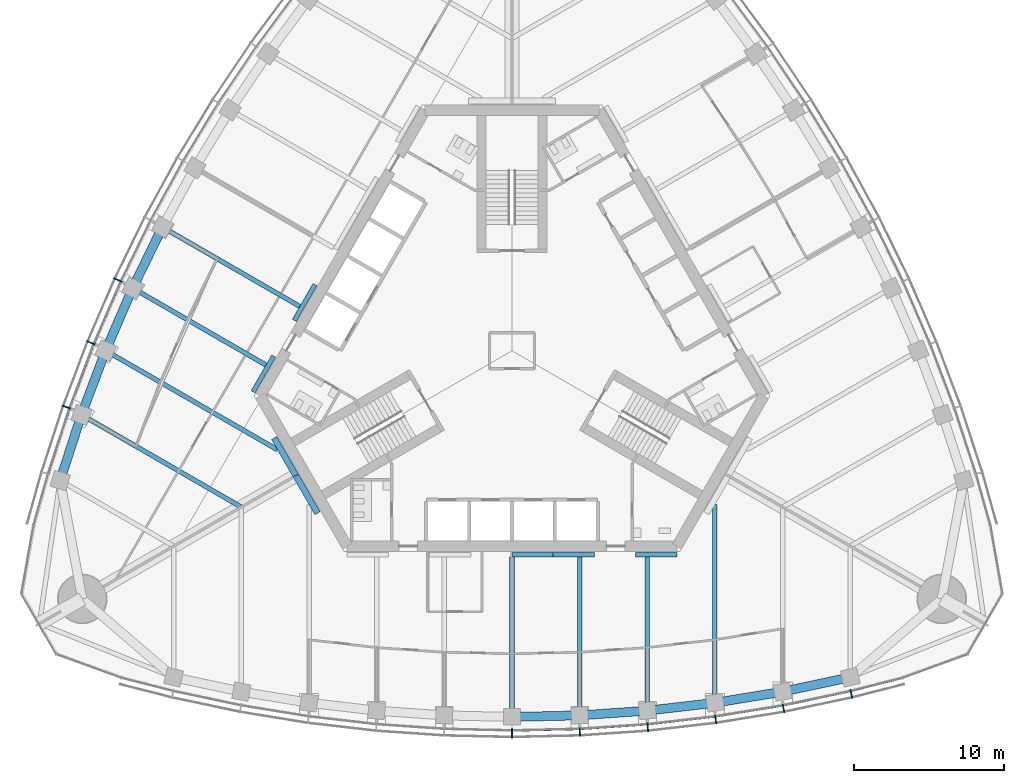
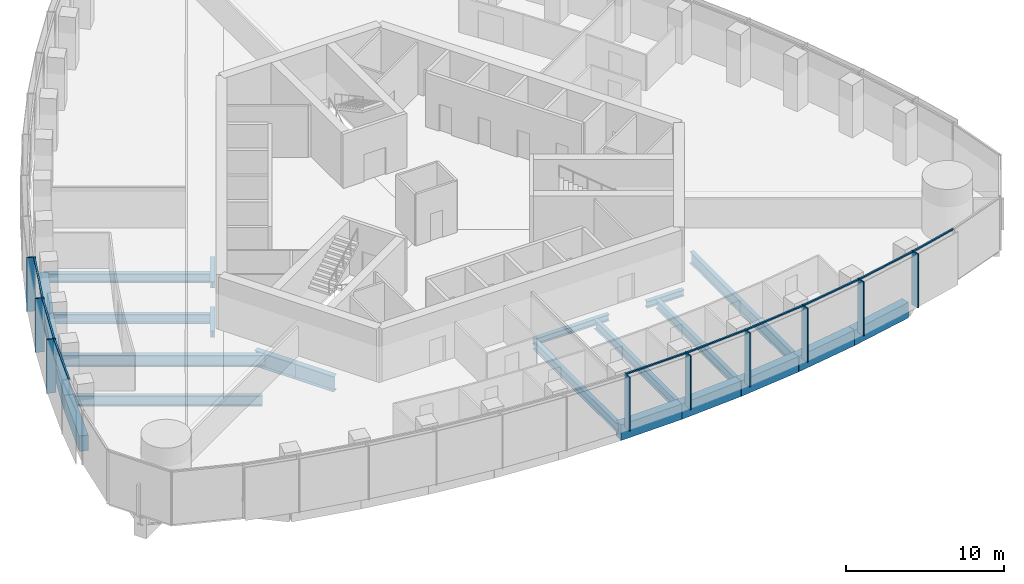
# One storey, part 3 of 19: 24 beams, 18 members, 2 elements without a shape of their own.
"""IFC4 building model written with IfcOpenShell, lengths in metres."""

from ifc_helpers import new_model, si_unit, direction, frame, origin, origin_2d, place, context, subcontext, project, spatial, rectangle, i_section, extrude, material, material_profile, profile_set, type_object, element, aggregate, save


model = new_model("IFC4")

# Units and contexts
model_context = context("Model", 3, precision=1e-05, world=origin(), true_north=direction((0.0, 1.0)))
body_context = subcontext(model_context, "Body", "Model", "MODEL_VIEW")
ifc_project = project(units=[si_unit("LENGTHUNIT", "METRE"), si_unit("AREAUNIT", "SQUARE_METRE"), si_unit("VOLUMEUNIT", "CUBIC_METRE"), si_unit("PLANEANGLEUNIT", "RADIAN"), si_unit("MASSUNIT", "GRAM", prefix="KILO")], contexts=[model_context])

# Site, building, storey
site_placement = place(None, origin())
site = spatial("IfcSite", under=ifc_project, at=site_placement, CompositionType="ELEMENT")
building_placement = place(site_placement, origin())
building = spatial("IfcBuilding", under=site, at=building_placement, Name="Trefoil Bronze Tower", CompositionType="ELEMENT")
storey_placement = place(building_placement, frame((0.0, 0.0, 223.300048828125)))
storey = spatial("IfcBuildingStorey", under=building, at=storey_placement, Name="L51", CompositionType="ELEMENT", Elevation=223.300048828125)

# Curtain wall, members
ifc_material_1 = material(Name="Tinted solar-control glass", Category="glass")
curtain_wall_type = type_object("IfcCurtainWallType", Name="Bronze office curtain wall", PredefinedType="USERDEFINED", material=ifc_material_1)
curtain_wall_1_placement = place(storey_placement, origin())
curtain_wall_1 = element("IfcCurtainWall", 1, at=curtain_wall_1_placement, inside=storey, type_object=curtain_wall_type, Name="CW-A L51 F1", ObjectType="CURTAIN WALL", PredefinedType="USERDEFINED")
ifc_material_2 = material(Name="Bronze-finish aluminium", Category="aluminium")
ifc_material_profile_1 = material_profile(ifc_material_2, rectangle(XDim=0.60009765625, YDim=0.080078125, at=origin_2d()), Name="CW-A mullion")
ifc_profile_set_1 = profile_set([ifc_material_profile_1], Name="Bronze-finish aluminium")
member_type_1 = type_object("IfcMemberType", Name="Bronze office curtain wall mullion", PredefinedType="MULLION", material=ifc_profile_set_1)
member_1_placement = place(storey_placement, frame((0.0, -25.45068359375, 0.0), z_axis=(0.0, 0.0, 1.0), x_axis=(0.0, 1.0, 0.0)))
member_1 = element("IfcMember", 2, at=member_1_placement, type_object=member_type_1, Name="CW-A L51 F1 mullion 7", PredefinedType="MULLION", context=body_context, shape_type="SweptSolid", body=[
    extrude(rectangle(XDim=0.60009765625, YDim=0.080078125, at=origin_2d()), origin(), (0.0, 0.0, 1.0), 4.179931640625),
])
member_2_placement = place(storey_placement, frame((4.513671875, -25.346923828125, 0.0), z_axis=(0.0, 0.0, 1.0), x_axis=(-0.045955542372, 0.998943485952, 0.0)))
member_2 = element("IfcMember", 3, at=member_2_placement, type_object=member_type_1, Name="CW-A L51 F1 mullion 8", PredefinedType="MULLION", context=body_context, shape_type="SweptSolid", body=[
    extrude(rectangle(XDim=0.60009765625, YDim=0.080078125, at=origin_2d()), origin(), (0.0, 0.0, 1.0), 4.179931640625),
])
member_3_placement = place(storey_placement, frame((9.027587890625, -25.03515625, 0.0), z_axis=(0.0, 0.0, 1.0), x_axis=(-0.091911396394, 0.995767189263, 0.0)))
member_3 = element("IfcMember", 4, at=member_3_placement, type_object=member_type_1, Name="CW-A L51 F1 mullion 9", PredefinedType="MULLION", context=body_context, shape_type="SweptSolid", body=[
    extrude(rectangle(XDim=0.60009765625, YDim=0.080078125, at=origin_2d()), origin(), (0.0, 0.0, 1.0), 4.179931640625),
])
member_4_placement = place(storey_placement, frame((13.541259765625, -24.51318359375, 0.0), z_axis=(0.0, 0.0, 1.0), x_axis=(-0.137867887204, 0.990450627582, 0.0)))
member_4 = element("IfcMember", 5, at=member_4_placement, type_object=member_type_1, Name="CW-A L51 F1 mullion 10", PredefinedType="MULLION", context=body_context, shape_type="SweptSolid", body=[
    extrude(rectangle(XDim=0.60009765625, YDim=0.080078125, at=origin_2d()), origin(), (0.0, 0.0, 1.0), 4.179931640625),
])
member_5_placement = place(storey_placement, frame((18.05517578125, -23.77783203125, 0.0), z_axis=(0.0, 0.0, 1.0), x_axis=(-0.183825368167, 0.982958917767, 0.0)))
member_5 = element("IfcMember", 6, at=member_5_placement, type_object=member_type_1, Name="CW-A L51 F1 mullion 11", PredefinedType="MULLION", context=body_context, shape_type="SweptSolid", body=[
    extrude(rectangle(XDim=0.60009765625, YDim=0.080078125, at=origin_2d()), origin(), (0.0, 0.0, 1.0), 4.179931640625),
])
member_6_placement = place(storey_placement, frame((22.568115234375, -22.82421875, 0.0), z_axis=(0.0, 0.0, 1.0), x_axis=(-0.227082662569, 0.973875487093, 0.0)))
member_6 = element("IfcMember", 7, at=member_6_placement, type_object=member_type_1, Name="CW-A L51 F1 mullion 12", PredefinedType="MULLION", context=body_context, shape_type="SweptSolid", body=[
    extrude(rectangle(XDim=0.60009765625, YDim=0.080078125, at=origin_2d()), origin(), (0.0, 0.0, 1.0), 4.179931640625),
])

curtain_wall_2_placement = place(storey_placement, origin())
curtain_wall_2 = element("IfcCurtainWall", 8, at=curtain_wall_2_placement, inside=storey, type_object=curtain_wall_type, Name="CW-A L51 F3", ObjectType="CURTAIN WALL", PredefinedType="USERDEFINED")
member_7_placement = place(storey_placement, frame((-26.19482421875, 4.699462890625, 0.0), z_axis=(0.0, 0.0, 1.0), x_axis=(0.908315380354, -0.418285990457, 0.0)))
member_7 = element("IfcMember", 9, at=member_7_placement, type_object=member_type_1, Name="CW-A L51 F3 mullion 9", PredefinedType="MULLION", context=body_context, shape_type="SweptSolid", body=[
    extrude(rectangle(XDim=0.60009765625, YDim=0.080078125, at=origin_2d()), origin(), (0.0, 0.0, 1.0), 4.179931640625),
])
member_8_placement = place(storey_placement, frame((-27.999755859375, 0.529541015625, 0.0), z_axis=(0.0, 0.0, 1.0), x_axis=(0.926689348282, -0.375828221106, 0.0)))
member_8 = element("IfcMember", 10, at=member_8_placement, type_object=member_type_1, Name="CW-A L51 F3 mullion 10", PredefinedType="MULLION", context=body_context, shape_type="SweptSolid", body=[
    extrude(rectangle(XDim=0.60009765625, YDim=0.080078125, at=origin_2d()), origin(), (0.0, 0.0, 1.0), 4.179931640625),
])
member_9_placement = place(storey_placement, frame((-29.619873046875, -3.747314453125, 0.0), z_axis=(0.0, 0.0, 1.0), x_axis=(0.943180077746, -0.332282020191, 0.0)))
member_9 = element("IfcMember", 11, at=member_9_placement, type_object=member_type_1, Name="CW-A L51 F3 mullion 11", PredefinedType="MULLION", context=body_context, shape_type="SweptSolid", body=[
    extrude(rectangle(XDim=0.60009765625, YDim=0.080078125, at=origin_2d()), origin(), (0.0, 0.0, 1.0), 4.179931640625),
])

# Member
ifc_material_3 = material(Name="Bronze-finish aluminium", Category="aluminium")
ifc_material_profile_2 = material_profile(ifc_material_3, rectangle(XDim=0.1201171875, YDim=0.10009765625, at=origin_2d()), Name="CW-A transom")
ifc_profile_set_2 = profile_set([ifc_material_profile_2], Name="Bronze-finish aluminium")
member_type_2 = type_object("IfcMemberType", Name="Bronze office curtain wall transom", PredefinedType="USERDEFINED", material=ifc_profile_set_2)
member_10_placement = place(storey_placement, frame((0.042236328125, -25.249755859375, 4.1298828125), z_axis=(0.999736131416, 0.022971015226, 0.0), x_axis=(-0.022971015226, 0.999736131416, 0.0)))
member_10 = element("IfcMember", 12, at=member_10_placement, type_object=member_type_2, Name="CW-A L51 F1 transom 7", ObjectType="TRANSOM", PredefinedType="USERDEFINED", context=body_context, shape_type="SweptSolid", body=[
    extrude(rectangle(XDim=0.1201171875, YDim=0.10009765625, at=origin_2d()), origin(), (0.0, 0.0, 1.0), 4.42138671875),
])

member_11_placement = place(storey_placement, frame((4.546875, -25.144287109375, 4.1298828125), z_axis=(0.997621320987, 0.06893257512, 0.0), x_axis=(-0.06893257512, 0.997621320987, 0.0)))
member_11 = element("IfcMember", 13, at=member_11_placement, type_object=member_type_2, Name="CW-A L51 F1 transom 8", ObjectType="TRANSOM", PredefinedType="USERDEFINED", context=body_context, shape_type="SweptSolid", body=[
    extrude(rectangle(XDim=0.1201171875, YDim=0.10009765625, at=origin_2d()), origin(), (0.0, 0.0, 1.0), 4.4306640625),
])

member_12_placement = place(storey_placement, frame((9.05126953125, -24.8310546875, 4.1298828125), z_axis=(0.993384885596, 0.114832352013, 0.0), x_axis=(-0.114832352013, 0.993384885596, 0.0)))
member_12 = element("IfcMember", 14, at=member_12_placement, type_object=member_type_2, Name="CW-A L51 F1 transom 9", ObjectType="TRANSOM", PredefinedType="USERDEFINED", context=body_context, shape_type="SweptSolid", body=[
    extrude(rectangle(XDim=0.1201171875, YDim=0.10009765625, at=origin_2d()), origin(), (0.0, 0.0, 1.0), 4.449951171875),
])

member_13_placement = place(storey_placement, frame((13.5556640625, -24.308349609375, 4.1298828125), z_axis=(0.986988367046, 0.160791676761, 0.0), x_axis=(-0.160791676761, 0.986988367046, 0.0)))
member_13 = element("IfcMember", 15, at=member_13_placement, type_object=member_type_2, Name="CW-A L51 F1 transom 10", ObjectType="TRANSOM", PredefinedType="USERDEFINED", context=body_context, shape_type="SweptSolid", body=[
    extrude(rectangle(XDim=0.1201171875, YDim=0.10009765625, at=origin_2d()), origin(), (0.0, 0.0, 1.0), 4.479248046875),
])

member_14_placement = place(storey_placement, frame((18.059814453125, -23.572509765625, 4.1298828125), z_axis=(0.978395325657, 0.20674280334, 0.0), x_axis=(-0.20674280334, 0.978395325657, 0.0)))
member_14 = element("IfcMember", 16, at=member_14_placement, type_object=member_type_2, Name="CW-A L51 F1 transom 11", ObjectType="TRANSOM", PredefinedType="USERDEFINED", context=body_context, shape_type="SweptSolid", body=[
    extrude(rectangle(XDim=0.1201171875, YDim=0.10009765625, at=origin_2d()), origin(), (0.0, 0.0, 1.0), 4.519287109375),
])

member_15_placement = place(storey_placement, frame((22.5634765625, -22.618896484375, 4.1298828125), z_axis=(0.968935220916, 0.247314653162, 0.0), x_axis=(-0.247314653162, 0.968935220916, 0.0)))
member_15 = element("IfcMember", 17, at=member_15_placement, type_object=member_type_2, Name="CW-A L51 F1 transom 12", ObjectType="TRANSOM", PredefinedType="USERDEFINED", context=body_context, shape_type="SweptSolid", body=[
    extrude(rectangle(XDim=0.1201171875, YDim=0.10009765625, at=origin_2d()), origin(), (0.0, 0.0, 1.0), 3.483642578125),
])

aggregate(curtain_wall_1, [member_1, member_2, member_3, member_4, member_5, member_6, member_10, member_11, member_12, member_13, member_14, member_15])

member_16_placement = place(storey_placement, frame((-26.030029296875, 4.576904296875, 4.1298828125), z_axis=(-0.397220936772, -0.917723012346, 0.0), x_axis=(0.917723012346, -0.397220936772, 0.0)))
member_16 = element("IfcMember", 18, at=member_16_placement, type_object=member_type_2, Name="CW-A L51 F3 transom 9", ObjectType="TRANSOM", PredefinedType="USERDEFINED", context=body_context, shape_type="SweptSolid", body=[
    extrude(rectangle(XDim=0.1201171875, YDim=0.10009765625, at=origin_2d()), origin(), (0.0, 0.0, 1.0), 4.449951171875),
])

member_17_placement = place(storey_placement, frame((-27.829345703125, 0.414794921875, 4.1298828125), z_axis=(-0.354263170896, -0.935145767112, 0.0), x_axis=(0.935145767112, -0.354263170896, 0.0)))
member_17 = element("IfcMember", 19, at=member_17_placement, type_object=member_type_2, Name="CW-A L51 F3 transom 10", ObjectType="TRANSOM", PredefinedType="USERDEFINED", context=body_context, shape_type="SweptSolid", body=[
    extrude(rectangle(XDim=0.1201171875, YDim=0.10009765625, at=origin_2d()), origin(), (0.0, 0.0, 1.0), 4.4794921875),
])

member_18_placement = place(storey_placement, frame((-29.4443359375, -3.85400390625, 4.1298828125), z_axis=(-0.310127806788, -0.950694874004, 0.0), x_axis=(0.950694874004, -0.310127806788, 0.0)))
member_18 = element("IfcMember", 20, at=member_18_placement, type_object=member_type_2, Name="CW-A L51 F3 transom 11", ObjectType="TRANSOM", PredefinedType="USERDEFINED", context=body_context, shape_type="SweptSolid", body=[
    extrude(rectangle(XDim=0.1201171875, YDim=0.10009765625, at=origin_2d()), origin(), (0.0, 0.0, 1.0), 4.51953125),
])

aggregate(curtain_wall_2, [member_7, member_8, member_9, member_16, member_17, member_18])

# Beams
ifc_material_4 = material(Name="Steel C355", Category="steel")
ifc_material_profile_3 = material_profile(ifc_material_4, i_section(OverallWidth=0.300048828125, OverallDepth=0.5, WebThickness=0.014404296875, FlangeThickness=0.028076171875, FilletRadius=0.027099609375, at=origin_2d()), Name="HEB 500")
ifc_profile_set_3 = profile_set([ifc_material_profile_3], Name="Steel C355")
beam_type_1 = type_object("IfcBeamType", Name="Core seat beam HEB 500", PredefinedType="BEAM", material=ifc_profile_set_3)
for number, where, z_axis, x_axis, name in (
    (21, (0.0, -13.550048828125, -0.449951171875), (1.0, 0.0, 0.0), (0.0, 1.0, 0.0), "Core seat beam F1/+0 L51"),
    (22, (2.742431640625, -13.550048828125, -0.449951171875), (1.0, 0.0, 0.0), (0.0, 1.0, 0.0), "Core seat beam F1/+1 L51"),
    (23, (8.227294921875, -13.550048828125, -0.449951171875), (1.0, 0.0, 0.0), (0.0, 1.0, 0.0), "Core seat beam F1/+2 L51"),
    (24, (-13.10595703125, 4.39990234375, -0.449951171875), (-0.499969057507, -0.866043267704, 0.0), (0.866043267704, -0.499969057507, 0.0), "Core seat beam F3/+1 L51"),
    (25, (-15.84814453125, -0.35009765625, -0.449951171875), (-0.500035825175, -0.866004719122, 0.0), (0.866004719122, -0.500035825175, 0.0), "Core seat beam F3/+2 L51"),
):
    element("IfcBeam", number, at=place(storey_placement, frame(where, z_axis=z_axis, x_axis=x_axis)), inside=storey, type_object=beam_type_1, Name=name, PredefinedType="BEAM", context=body_context, shape_type="SweptSolid", body=[
        extrude(i_section(OverallWidth=0.300048828125, OverallDepth=0.5, WebThickness=0.014404296875, FlangeThickness=0.028076171875, FilletRadius=0.027099609375, at=origin_2d()), origin(), (0.0, 0.0, 1.0), 2.742431640625),
    ])
ifc_material_5 = material(Name="Steel C355", Category="steel")
ifc_material_profile_4 = material_profile(ifc_material_5, i_section(OverallWidth=0.39990234375, OverallDepth=1.199951171875, WebThickness=0.02001953125, FlangeThickness=0.0400390625, FilletRadius=0.010009765625, at=origin_2d()), Name="WPG 1200")
ifc_profile_set_4 = profile_set([ifc_material_profile_4], Name="Steel C355")
beam_type_2 = type_object("IfcBeamType", Name="Core seat beam WPG 1200", PredefinedType="BEAM", material=ifc_profile_set_4)
for number, where, z_axis, x_axis, name in (
    (26, (-14.3759765625, -8.300048828125, -0.800048828125), (0.499995765644, -0.866027848477, 0.0), (0.866027848477, 0.499995765644, 0.0), "Core seat beam F1/-3 L51"),
    (27, (-15.8193359375, -5.800048828125, -0.800048828125), (0.499995765644, -0.866027848477, 0.0), (0.866027848477, 0.499995765644, 0.0), "Core seat beam F3/+3 L51"),
):
    element("IfcBeam", number, at=place(storey_placement, frame(where, z_axis=z_axis, x_axis=x_axis)), inside=storey, type_object=beam_type_2, Name=name, PredefinedType="BEAM", context=body_context, shape_type="SweptSolid", body=[
        extrude(i_section(OverallWidth=0.39990234375, OverallDepth=1.199951171875, WebThickness=0.02001953125, FlangeThickness=0.0400390625, FilletRadius=0.010009765625, at=origin_2d()), origin(), (0.0, 0.0, 1.0), 2.88671875),
    ])
ifc_material_6 = material(Name="Steel C355", Category="steel")
ifc_material_profile_5 = material_profile(ifc_material_6, i_section(OverallWidth=0.300048828125, OverallDepth=0.699951171875, WebThickness=0.01708984375, FlangeThickness=0.031982421875, FilletRadius=0.027099609375, at=origin_2d()), Name="HEB 700")
ifc_profile_set_5 = profile_set([ifc_material_profile_5], Name="Steel C355")
beam_type_3 = type_object("IfcBeamType", Name="Floor beam HEB 700", PredefinedType="BEAM", material=ifc_profile_set_5)
beam_1_placement = place(storey_placement, frame((0.0, -24.3505859375, -0.550048828125), z_axis=(0.0, 1.0, 0.0), x_axis=(-1.0, 0.0, 0.0)))
element("IfcBeam", 28, at=beam_1_placement, inside=storey, type_object=beam_type_3, Name="Floor beam F1/+0 L51", PredefinedType="BEAM", context=body_context, shape_type="SweptSolid", body=[
    extrude(i_section(OverallWidth=0.300048828125, OverallDepth=0.699951171875, WebThickness=0.01708984375, FlangeThickness=0.031982421875, FilletRadius=0.027099609375, at=origin_2d()), origin(), (0.0, 0.0, 1.0), 10.650634765625),
])
beam_2_placement = place(storey_placement, frame((4.5, -24.246337890625, -0.550048828125), z_axis=(0.0, 1.0, 0.0), x_axis=(-1.0, 0.0, 0.0)))
element("IfcBeam", 29, at=beam_2_placement, inside=storey, type_object=beam_type_3, Name="Floor beam F1/+1 L51", PredefinedType="BEAM", context=body_context, shape_type="SweptSolid", body=[
    extrude(i_section(OverallWidth=0.300048828125, OverallDepth=0.699951171875, WebThickness=0.01708984375, FlangeThickness=0.031982421875, FilletRadius=0.027099609375, at=origin_2d()), origin(), (0.0, 0.0, 1.0), 10.54638671875),
])
beam_3_placement = place(storey_placement, frame((9.0, -23.932861328125, -0.550048828125), z_axis=(0.0, 1.0, 0.0), x_axis=(-1.0, 0.0, 0.0)))
element("IfcBeam", 30, at=beam_3_placement, inside=storey, type_object=beam_type_3, Name="Floor beam F1/+2 L51", PredefinedType="BEAM", context=body_context, shape_type="SweptSolid", body=[
    extrude(i_section(OverallWidth=0.300048828125, OverallDepth=0.699951171875, WebThickness=0.01708984375, FlangeThickness=0.031982421875, FilletRadius=0.027099609375, at=origin_2d()), origin(), (0.0, 0.0, 1.0), 10.23291015625),
])
beam_4_placement = place(storey_placement, frame((-23.248046875, 8.22607421875, -0.550048828125), z_axis=(0.866027918957, -0.499995643569, 0.0), x_axis=(0.499995643569, 0.866027918957, 0.0)))
element("IfcBeam", 31, at=beam_4_placement, inside=storey, type_object=beam_type_3, Name="Floor beam F3/+1 L51", PredefinedType="BEAM", context=body_context, shape_type="SweptSolid", body=[
    extrude(i_section(OverallWidth=0.300048828125, OverallDepth=0.699951171875, WebThickness=0.01708984375, FlangeThickness=0.031982421875, FilletRadius=0.027099609375, at=origin_2d()), origin(), (0.0, 0.0, 1.0), 10.54638671875),
])
beam_5_placement = place(storey_placement, frame((-25.2265625, 4.17236328125, -0.550048828125), z_axis=(0.866017525653, -0.500013645076, 0.0), x_axis=(0.500013645076, 0.866017525653, 0.0)))
element("IfcBeam", 32, at=beam_5_placement, inside=storey, type_object=beam_type_3, Name="Floor beam F3/+2 L51", PredefinedType="BEAM", context=body_context, shape_type="SweptSolid", body=[
    extrude(i_section(OverallWidth=0.300048828125, OverallDepth=0.699951171875, WebThickness=0.01708984375, FlangeThickness=0.031982421875, FilletRadius=0.027099609375, at=origin_2d()), origin(), (0.0, 0.0, 1.0), 10.233154296875),
])
ifc_material_7 = material(Name="Steel C355", Category="steel")
ifc_material_profile_6 = material_profile(ifc_material_7, i_section(OverallWidth=0.300048828125, OverallDepth=0.800048828125, WebThickness=0.017578125, FlangeThickness=0.032958984375, FilletRadius=0.030029296875, at=origin_2d()), Name="HEB 800")
ifc_profile_set_6 = profile_set([ifc_material_profile_6], Name="Steel C355")
beam_type_4 = type_object("IfcBeamType", Name="Floor beam HEB 800", PredefinedType="BEAM", material=ifc_profile_set_6)
beam_6_placement = place(storey_placement, frame((-28.632080078125, -4.25390625, -0.60009765625), z_axis=(0.866025635187, -0.499999599199, 0.0), x_axis=(0.499999599199, 0.866025635187, 0.0)))
element("IfcBeam", 33, at=beam_6_placement, inside=storey, type_object=beam_type_4, Name="Floor beam F3/+4 L51", PredefinedType="BEAM", context=body_context, shape_type="SweptSolid", body=[
    extrude(i_section(OverallWidth=0.300048828125, OverallDepth=0.800048828125, WebThickness=0.017578125, FlangeThickness=0.032958984375, FilletRadius=0.030029296875, at=origin_2d()), origin(), (0.0, 0.0, 1.0), 12.27685546875),
])
ifc_material_8 = material(Name="Steel C355", Category="steel")
ifc_material_profile_7 = material_profile(ifc_material_8, i_section(OverallWidth=0.300048828125, OverallDepth=0.89990234375, WebThickness=0.0185546875, FlangeThickness=0.034912109375, FilletRadius=0.030029296875, at=origin_2d()), Name="HEB 900")
ifc_profile_set_7 = profile_set([ifc_material_profile_7], Name="Steel C355")
beam_type_5 = type_object("IfcBeamType", Name="Floor beam HEB 900", PredefinedType="BEAM", material=ifc_profile_set_7)
for number, where, z_axis, x_axis, name in (
    (34, (13.5, -23.408447265625, -0.650146484375), (0.0, 1.0, 0.0), (-1.0, 0.0, 0.0), "Floor beam F1/+3 L51"),
    (35, (-27.022216796875, 0.012939453125, -0.650146484375), (0.866020385251, -0.500008692254, 0.0), (0.500008692254, 0.866020385251, 0.0), "Floor beam F3/+3 L51"),
):
    element("IfcBeam", number, at=place(storey_placement, frame(where, z_axis=z_axis, x_axis=x_axis)), inside=storey, type_object=beam_type_5, Name=name, PredefinedType="BEAM", context=body_context, shape_type="SweptSolid", body=[
        extrude(i_section(OverallWidth=0.300048828125, OverallDepth=0.89990234375, WebThickness=0.0185546875, FlangeThickness=0.034912109375, FilletRadius=0.030029296875, at=origin_2d()), origin(), (0.0, 0.0, 1.0), 13.191162109375),
    ])
ifc_material_9 = material(Name="Concrete B80", Category="concrete")
ifc_material_profile_8 = material_profile(ifc_material_9, rectangle(XDim=0.60009765625, YDim=1.199951171875, at=origin_2d()), Name="RC 600x1200")
ifc_profile_set_8 = profile_set([ifc_material_profile_8], Name="Concrete B80")
beam_type_6 = type_object("IfcBeamType", Name="Spandrel beam RC 600x1200", PredefinedType="SPANDREL", material=ifc_profile_set_8)
beam_7_placement = place(storey_placement, frame((0.0, -24.3505859375, -0.800048828125), z_axis=(0.999731770792, 0.023160018779, 0.0), x_axis=(-0.023160018779, 0.999731770792, 0.0)))
element("IfcBeam", 36, at=beam_7_placement, inside=storey, type_object=beam_type_6, Name="Spandrel F1.7 L51", PredefinedType="SPANDREL", context=body_context, shape_type="SweptSolid", body=[
    extrude(rectangle(XDim=0.60009765625, YDim=1.199951171875, at=origin_2d()), origin(), (0.0, 0.0, 1.0), 4.501220703125),
])
beam_8_placement = place(storey_placement, frame((4.5, -24.246337890625, -0.800048828125), z_axis=(0.997582435881, 0.069493047291, 0.0), x_axis=(-0.069493047291, 0.997582435881, 0.0)))
element("IfcBeam", 37, at=beam_8_placement, inside=storey, type_object=beam_type_6, Name="Spandrel F1.8 L51", PredefinedType="SPANDREL", context=body_context, shape_type="SweptSolid", body=[
    extrude(rectangle(XDim=0.60009765625, YDim=1.199951171875, at=origin_2d()), origin(), (0.0, 0.0, 1.0), 4.510986328125),
])
beam_9_placement = place(storey_placement, frame((9.0, -23.932861328125, -0.800048828125), z_axis=(0.993278017132, 0.115753102257, 0.0), x_axis=(-0.115753102257, 0.993278017132, 0.0)))
element("IfcBeam", 38, at=beam_9_placement, inside=storey, type_object=beam_type_6, Name="Spandrel F1.9 L51", PredefinedType="SPANDREL", context=body_context, shape_type="SweptSolid", body=[
    extrude(rectangle(XDim=0.60009765625, YDim=1.199951171875, at=origin_2d()), origin(), (0.0, 0.0, 1.0), 4.530517578125),
])
beam_10_placement = place(storey_placement, frame((13.5, -23.408447265625, -0.800048828125), z_axis=(0.986764681833, 0.162158757664, 0.0), x_axis=(-0.162158757664, 0.986764681833, 0.0)))
element("IfcBeam", 39, at=beam_10_placement, inside=storey, type_object=beam_type_6, Name="Spandrel F1.10 L51", PredefinedType="SPANDREL", context=body_context, shape_type="SweptSolid", body=[
    extrude(rectangle(XDim=0.60009765625, YDim=1.199951171875, at=origin_2d()), origin(), (0.0, 0.0, 1.0), 4.560302734375),
])
beam_11_placement = place(storey_placement, frame((18.0, -22.6689453125, -0.800048828125), z_axis=(0.978059483036, 0.208325820877, 0.0), x_axis=(-0.208325820877, 0.978059483036, 0.0)))
element("IfcBeam", 40, at=beam_11_placement, inside=storey, type_object=beam_type_6, Name="Spandrel F1.11 L51", PredefinedType="SPANDREL", context=body_context, shape_type="SweptSolid", body=[
    extrude(rectangle(XDim=0.60009765625, YDim=1.199951171875, at=origin_2d()), origin(), (0.0, 0.0, 1.0), 4.600830078125),
])
beam_12_placement = place(storey_placement, frame((-23.248046875, 8.22607421875, -0.800048828125), z_axis=(-0.438619830351, -0.898672712629, 0.0), x_axis=(0.898672712629, -0.438619830351, 0.0)))
element("IfcBeam", 41, at=beam_12_placement, inside=storey, type_object=beam_type_6, Name="Spandrel F3.8 L51", PredefinedType="SPANDREL", context=body_context, shape_type="SweptSolid", body=[
    extrude(rectangle(XDim=0.60009765625, YDim=1.199951171875, at=origin_2d()), origin(), (0.0, 0.0, 1.0), 4.5107421875),
])
beam_13_placement = place(storey_placement, frame((-25.2265625, 4.17236328125, -0.800048828125), z_axis=(-0.396350337164, -0.918099346602, 0.0), x_axis=(0.918099346602, -0.396350337164, 0.0)))
element("IfcBeam", 42, at=beam_13_placement, inside=storey, type_object=beam_type_6, Name="Spandrel F3.9 L51", PredefinedType="SPANDREL", context=body_context, shape_type="SweptSolid", body=[
    extrude(rectangle(XDim=0.60009765625, YDim=1.199951171875, at=origin_2d()), origin(), (0.0, 0.0, 1.0), 4.530517578125),
])
beam_14_placement = place(storey_placement, frame((-27.022216796875, 0.012939453125, -0.800048828125), z_axis=(-0.353005969632, -0.935621069346, 0.0), x_axis=(0.935621069346, -0.353005969632, 0.0)))
element("IfcBeam", 43, at=beam_14_placement, inside=storey, type_object=beam_type_6, Name="Spandrel F3.10 L51", PredefinedType="SPANDREL", context=body_context, shape_type="SweptSolid", body=[
    extrude(rectangle(XDim=0.60009765625, YDim=1.199951171875, at=origin_2d()), origin(), (0.0, 0.0, 1.0), 4.560546875),
])
beam_15_placement = place(storey_placement, frame((-28.632080078125, -4.25390625, -0.800048828125), z_axis=(-0.308608505504, -0.951189145402, 0.0), x_axis=(0.951189145402, -0.308608505504, 0.0)))
element("IfcBeam", 44, at=beam_15_placement, inside=storey, type_object=beam_type_6, Name="Spandrel F3.11 L51", PredefinedType="SPANDREL", context=body_context, shape_type="SweptSolid", body=[
    extrude(rectangle(XDim=0.60009765625, YDim=1.199951171875, at=origin_2d()), origin(), (0.0, 0.0, 1.0), 4.60107421875),
])

save(model, "model.ifc")
